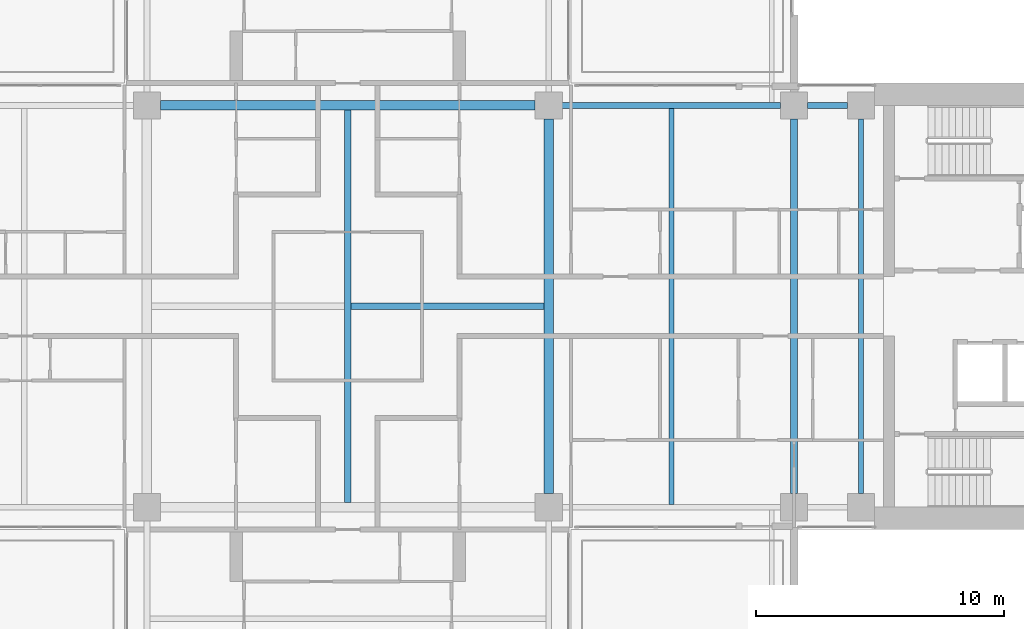
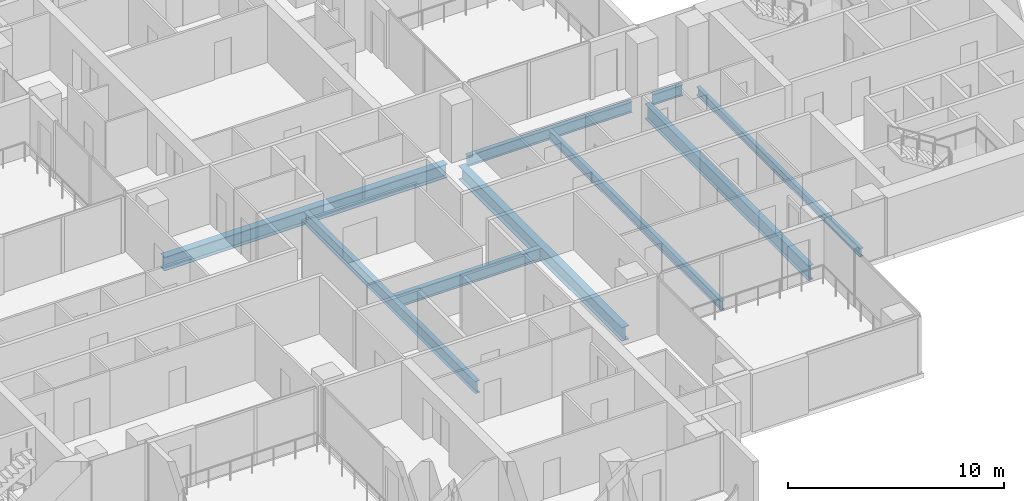
# One storey, part 4 of 19: 9 beams.
"""IFC4 building model written with IfcOpenShell, lengths in metres."""

from ifc_helpers import new_model, si_unit, direction, frame, origin, origin_2d, place, context, subcontext, project, spatial, i_section, extrude, material, material_profile, profile_set, type_object, element, save


model = new_model("IFC4")

# Units and contexts
model_context = context("Model", 3, precision=1e-05, world=origin(), true_north=direction((0.0, 1.0)))
body_context = subcontext(model_context, "Body", "Model", "MODEL_VIEW")
ifc_project = project(units=[si_unit("LENGTHUNIT", "METRE"), si_unit("AREAUNIT", "SQUARE_METRE"), si_unit("VOLUMEUNIT", "CUBIC_METRE"), si_unit("PLANEANGLEUNIT", "RADIAN"), si_unit("MASSUNIT", "GRAM", prefix="KILO")], contexts=[model_context])

# Site, building, storey
site_placement = place(None, origin())
site = spatial("IfcSite", under=ifc_project, at=site_placement, CompositionType="ELEMENT")
building_placement = place(site_placement, origin())
building = spatial("IfcBuilding", under=site, at=building_placement, Name="Perihelion Cross Residences", CompositionType="ELEMENT")
storey_placement = place(building_placement, frame((0.0, 0.0, 109.39990234375)))
storey = spatial("IfcBuildingStorey", under=building, at=storey_placement, Name="L25", CompositionType="ELEMENT", Elevation=109.39990234375)

# Beams
ifc_material_1 = material(Name="Steel S355", Category="steel")
ifc_material_profile_1 = material_profile(ifc_material_1, i_section(OverallWidth=0.194091796875, OverallDepth=0.469970703125, WebThickness=0.0126953125, FlangeThickness=0.0205078125, at=origin_2d()), Name="W460x106")
ifc_profile_set_1 = profile_set([ifc_material_profile_1], Name="Steel S355")
beam_type_1 = type_object("IfcBeamType", Name="Core edge beam W460x106", PredefinedType="BEAM", material=ifc_profile_set_1)
beam_1_placement = place(storey_placement, frame((20.699951171875, -7.550048828125, -0.48486328125), z_axis=(0.0, 1.0, 0.0), x_axis=(-1.0, 0.0, 0.0)))
element("IfcBeam", 1, at=beam_1_placement, inside=storey, type_object=beam_type_1, Name="Core edge beam TB5 L25 no. 2", PredefinedType="BEAM", context=body_context, shape_type="SweptSolid", body=[
    extrude(i_section(OverallWidth=0.194091796875, OverallDepth=0.469970703125, WebThickness=0.0126953125, FlangeThickness=0.0205078125, at=origin_2d()), origin(), (0.0, 0.0, 1.0), 15.10009765625),
])
ifc_material_2 = material(Name="Steel S355", Category="steel")
ifc_material_profile_2 = material_profile(ifc_material_2, i_section(OverallWidth=0.22900390625, OverallDepth=0.612060546875, WebThickness=0.011962890625, FlangeThickness=0.01953125, at=origin_2d()), Name="W610x125")
ifc_profile_set_2 = profile_set([ifc_material_profile_2], Name="Steel S355")
beam_type_2 = type_object("IfcBeamType", Name="Edge beam W610x125", PredefinedType="SPANDREL", material=ifc_profile_set_2)
beam_2_placement = place(storey_placement, frame((20.14990234375, 8.10009765625, -0.555908203125), z_axis=(-1.0, 0.0, 0.0), x_axis=(0.0, -1.0, 0.0)))
element("IfcBeam", 2, at=beam_2_placement, inside=storey, type_object=beam_type_2, Name="Edge beam SB3 L25 no. 13", PredefinedType="SPANDREL", context=body_context, shape_type="SweptSolid", body=[
    extrude(i_section(OverallWidth=0.22900390625, OverallDepth=0.612060546875, WebThickness=0.011962890625, FlangeThickness=0.01953125, at=origin_2d()), origin(), (0.0, 0.0, 1.0), 1.599853515625),
])
beam_3_placement = place(storey_placement, frame((17.449951171875, 8.10009765625, -0.555908203125), z_axis=(-1.0, 0.0, 0.0), x_axis=(0.0, -1.0, 0.0)))
element("IfcBeam", 3, at=beam_3_placement, inside=storey, type_object=beam_type_2, Name="Edge beam SB3 L25 no. 12", PredefinedType="SPANDREL", context=body_context, shape_type="SweptSolid", body=[
    extrude(i_section(OverallWidth=0.22900390625, OverallDepth=0.612060546875, WebThickness=0.011962890625, FlangeThickness=0.01953125, at=origin_2d()), origin(), (0.0, 0.0, 1.0), 8.800048828125),
])
ifc_material_3 = material(Name="Steel S355", Category="steel")
ifc_material_profile_3 = material_profile(ifc_material_3, i_section(OverallWidth=0.2919921875, OverallDepth=0.8359375, WebThickness=0.013916015625, FlangeThickness=0.018798828125, at=origin_2d()), Name="W840x176")
ifc_profile_set_3 = profile_set([ifc_material_profile_3], Name="Steel S355")
beam_type_3 = type_object("IfcBeamType", Name="Floor girder W840x176", PredefinedType="BEAM", material=ifc_profile_set_3)
beam_4_placement = place(storey_placement, frame((18.0, -7.550048828125, -0.66796875), z_axis=(0.0, 1.0, 0.0), x_axis=(-1.0, 0.0, 0.0)))
element("IfcBeam", 4, at=beam_4_placement, inside=storey, type_object=beam_type_3, Name="Girder G3 L25 no. 2", PredefinedType="BEAM", context=body_context, shape_type="SweptSolid", body=[
    extrude(i_section(OverallWidth=0.2919921875, OverallDepth=0.8359375, WebThickness=0.013916015625, FlangeThickness=0.018798828125, at=origin_2d()), origin(), (0.0, 0.0, 1.0), 15.10009765625),
])
ifc_material_4 = material(Name="Steel S355", Category="steel")
ifc_material_profile_4 = material_profile(ifc_material_4, i_section(OverallWidth=0.208984375, OverallDepth=0.532958984375, WebThickness=0.01025390625, FlangeThickness=0.015625, at=origin_2d()), Name="W530x92")
ifc_profile_set_4 = profile_set([ifc_material_profile_4], Name="Steel S355")
beam_type_4 = type_object("IfcBeamType", Name="Floor joist W530x92", PredefinedType="JOIST", material=ifc_profile_set_4)
beam_5_placement = place(storey_placement, frame((13.050048828125, -7.985595703125, -0.516357421875), z_axis=(0.0, 1.0, 0.0), x_axis=(-1.0, 0.0, 0.0)))
element("IfcBeam", 5, at=beam_5_placement, inside=storey, type_object=beam_type_4, Name="Joist J4 L25 no. 2", PredefinedType="JOIST", context=body_context, shape_type="SweptSolid", body=[
    extrude(i_section(OverallWidth=0.208984375, OverallDepth=0.532958984375, WebThickness=0.01025390625, FlangeThickness=0.015625, at=origin_2d()), origin(), (0.0, 0.0, 1.0), 15.97119140625),
])
ifc_material_5 = material(Name="Steel S355", Category="steel")
ifc_material_profile_5 = material_profile(ifc_material_5, i_section(OverallWidth=0.257080078125, OverallDepth=0.693115234375, WebThickness=0.014404296875, FlangeThickness=0.023681640625, at=origin_2d()), Name="W690x170")
ifc_profile_set_5 = profile_set([ifc_material_profile_5], Name="Steel S355")
beam_type_5 = type_object("IfcBeamType", Name="Hub cross beam W690x170", PredefinedType="BEAM", material=ifc_profile_set_5)
beam_6_placement = place(storey_placement, frame((0.0, -7.909423828125, -0.596435546875), z_axis=(0.0, 1.0, 0.0), x_axis=(-1.0, 0.0, 0.0)))
element("IfcBeam", 6, at=beam_6_placement, inside=storey, type_object=beam_type_5, Name="Hub cross beam XB3 L25 no. 1", PredefinedType="BEAM", context=body_context, shape_type="SweptSolid", body=[
    extrude(i_section(OverallWidth=0.257080078125, OverallDepth=0.693115234375, WebThickness=0.014404296875, FlangeThickness=0.023681640625, at=origin_2d()), origin(), (0.0, 0.0, 1.0), 15.81884765625),
])
beam_7_placement = place(storey_placement, frame((0.12841796875, 0.0, -0.596435546875), z_axis=(1.0, 0.0, 0.0), x_axis=(0.0, 1.0, 0.0)))
element("IfcBeam", 7, at=beam_7_placement, inside=storey, type_object=beam_type_5, Name="Hub cross beam XB3 L25 2 no. 1", PredefinedType="BEAM", context=body_context, shape_type="SweptSolid", body=[
    extrude(i_section(OverallWidth=0.257080078125, OverallDepth=0.693115234375, WebThickness=0.014404296875, FlangeThickness=0.023681640625, at=origin_2d()), origin(), (0.0, 0.0, 1.0), 7.781005859375),
])
ifc_material_6 = material(Name="Steel S355", Category="steel")
ifc_material_profile_6 = material_profile(ifc_material_6, i_section(OverallWidth=0.381103515625, OverallDepth=0.77197265625, WebThickness=0.0166015625, FlangeThickness=0.027099609375, at=origin_2d()), Name="W760x257")
ifc_profile_set_6 = profile_set([ifc_material_profile_6], Name="Steel S355")
beam_type_6 = type_object("IfcBeamType", Name="Hub ring girder W760x257", PredefinedType="BEAM", material=ifc_profile_set_6)
for number, where, z_axis, x_axis, name in (
    (8, (8.10009765625, -7.550048828125, -0.635986328125), (0.0, 1.0, 0.0), (-1.0, 0.0, 0.0), "Hub ring girder RG3 L25 no. 3"),
    (9, (7.550048828125, 8.10009765625, -0.635986328125), (-1.0, 0.0, 0.0), (0.0, -1.0, 0.0), "Hub ring girder RG3 L25 no. 4"),
):
    element("IfcBeam", number, at=place(storey_placement, frame(where, z_axis=z_axis, x_axis=x_axis)), inside=storey, type_object=beam_type_6, Name=name, PredefinedType="BEAM", context=body_context, shape_type="SweptSolid", body=[
        extrude(i_section(OverallWidth=0.381103515625, OverallDepth=0.77197265625, WebThickness=0.0166015625, FlangeThickness=0.027099609375, at=origin_2d()), origin(), (0.0, 0.0, 1.0), 15.10009765625),
    ])

save(model, "model.ifc")
